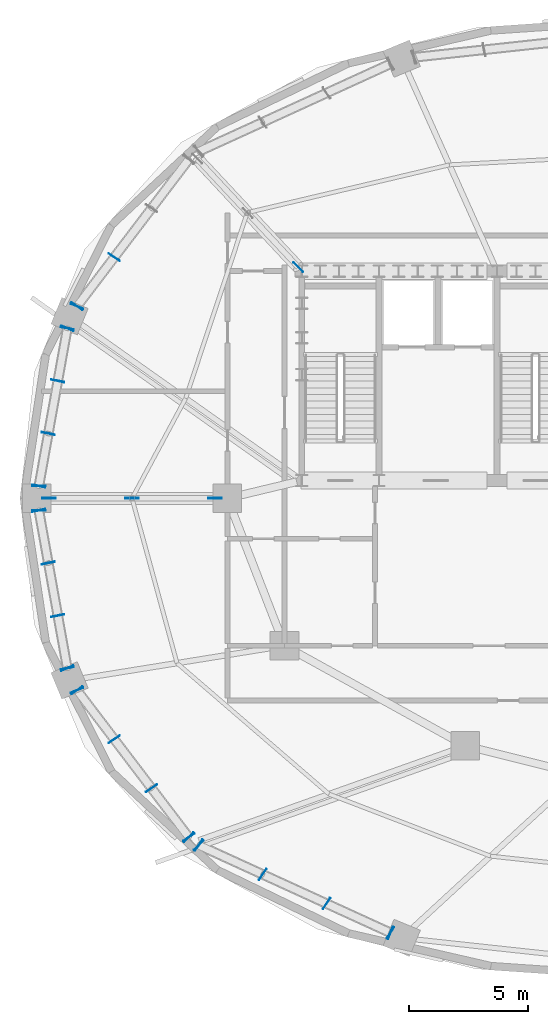
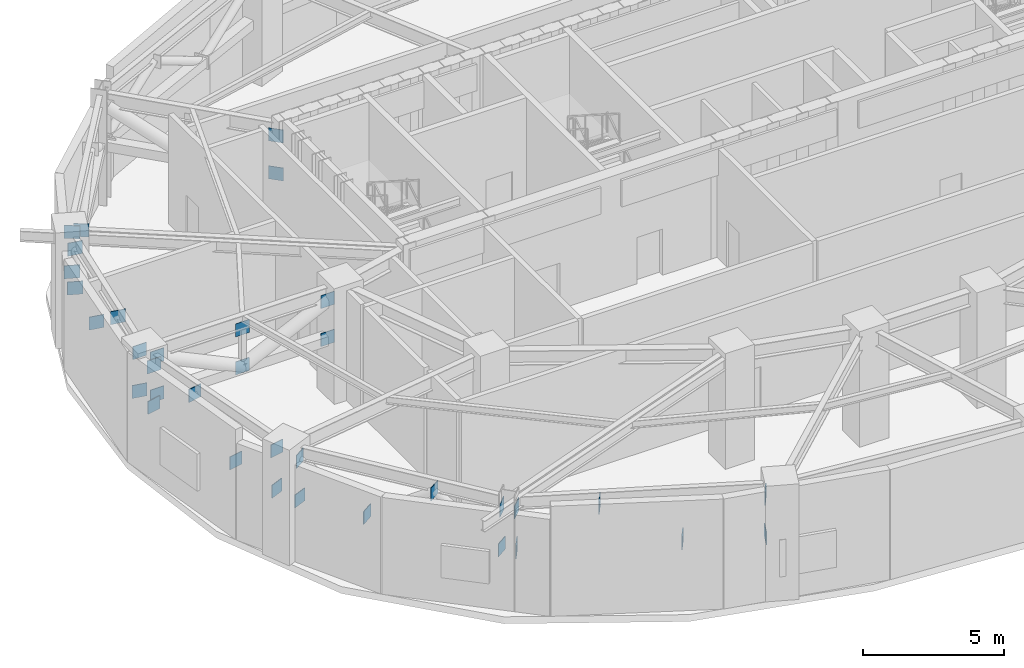
# One storey, part 8 of 17: 35 plates.
"""IFC4 building model written with IfcOpenShell, lengths in metres."""

from ifc_helpers import new_model, si_unit, direction, frame, origin, origin_2d, place, context, subcontext, project, spatial, rectangle, extrude, material, layer, layer_set, type_object, element, save


model = new_model("IFC4")

# Units and contexts
model_context = context("Model", 3, precision=1e-05, world=origin(), true_north=direction((0.0, 1.0)))
body_context = subcontext(model_context, "Body", "Model", "MODEL_VIEW")
ifc_project = project(units=[si_unit("LENGTHUNIT", "METRE"), si_unit("AREAUNIT", "SQUARE_METRE"), si_unit("VOLUMEUNIT", "CUBIC_METRE"), si_unit("PLANEANGLEUNIT", "RADIAN"), si_unit("MASSUNIT", "GRAM", prefix="KILO")], contexts=[model_context])

# Site, building, storey
site_placement = place(None, origin())
site = spatial("IfcSite", under=ifc_project, at=site_placement, CompositionType="ELEMENT")
building_placement = place(site_placement, origin())
building = spatial("IfcBuilding", under=site, at=building_placement, Name="Haldorwick Loom Tower", CompositionType="ELEMENT")
storey_placement = place(building_placement, frame((0.0, 0.0, 149.449951171875)))
storey = spatial("IfcBuildingStorey", under=building, at=storey_placement, Name="L40", CompositionType="ELEMENT", Elevation=149.449951171875)

# Plates
ifc_material = material(Name="Steel CSA G40.21 350W", Category="steel")
ifc_layer = layer(ifc_material, 0.028076171875, Name="Steel CSA G40.21 350W", Category="steel")
ifc_layer_set = layer_set([ifc_layer], Name="Steel CSA G40.21 350W")
plate_type = type_object("IfcPlateType", Name="STR-PLT-GUS28", PredefinedType="SHEET", material=ifc_layer_set)
for number, where, z_axis, x_axis, name in (
    (1, (14.045166015625, 36.126708984375, 2.219970703125), (0.0, 0.0, 1.0), (-0.831469612303, 0.55557023302, 0.0), "L40 Truss Node Gusset Plate PLT-L40-BGUS-06-1B"),
    (2, (12.478759765625, 34.067626953125, 3.93603515625), (0.0, 0.0, 1.0), (-0.831469612303, 0.55557023302, 0.0), "L40 Truss Node Gusset Plate PLT-L40-BGUS-06-2B"),
    (3, (12.478759765625, 34.067626953125, 2.219970703125), (0.0, 0.0, 1.0), (-0.923879532511, 0.382683432365, 0.0), "L40 Truss Node Gusset Plate PLT-L40-BGUS-06C"),
    (4, (12.071533203125, 33.14208984375, 3.93603515625), (0.0, 0.0, 1.0), (-0.980785280403, 0.195090322016, 0.0), "L40 Truss Node Gusset Plate PLT-L40-BGUS-07-0A"),
    (5, (11.6728515625, 30.931884765625, 2.219970703125), (0.0, 0.0, 1.0), (-0.980785280403, 0.195090322016, 0.0), "L40 Truss Node Gusset Plate PLT-L40-BGUS-07-0B"),
    (6, (11.274169921875, 28.7216796875, 3.93603515625), (0.0, 0.0, 1.0), (-0.980785280403, 0.195090322016, 0.0), "L40 Truss Node Gusset Plate PLT-L40-BGUS-07-1B"),
    (7, (10.875244140625, 26.51171875, 2.219970703125), (0.0, 0.0, 1.0), (-0.980785280403, 0.195090322016, 0.0), "L40 Truss Node Gusset Plate PLT-L40-BGUS-07-2B"),
    (8, (12.071533203125, 33.14208984375, 2.219970703125), (0.0, 0.0, 1.0), (-0.923879532511, 0.382683432365, 0.0), "L40 Truss Node Gusset Plate PLT-L40-BGUS-07A"),
    (9, (10.875244140625, 26.51171875, 3.93603515625), (0.0, 0.0, 1.0), (-1.0, 0.0, 0.0), "L40 Truss Node Gusset Plate PLT-L40-BGUS-07D"),
    (10, (10.875244140625, 25.48828125, 2.219970703125), (0.0, 0.0, 1.0), (-0.980785280403, -0.195090322016, 0.0), "L40 Truss Node Gusset Plate PLT-L40-BGUS-08-0A"),
    (11, (11.274169921875, 23.2783203125, 3.93603515625), (0.0, 0.0, 1.0), (-0.980785280403, -0.195090322016, 0.0), "L40 Truss Node Gusset Plate PLT-L40-BGUS-08-0B"),
    (12, (11.6728515625, 21.068115234375, 2.219970703125), (0.0, 0.0, 1.0), (-0.980785280403, -0.195090322016, 0.0), "L40 Truss Node Gusset Plate PLT-L40-BGUS-08-1B"),
    (13, (12.071533203125, 18.85791015625, 3.93603515625), (0.0, 0.0, 1.0), (-0.980785280403, -0.195090322016, 0.0), "L40 Truss Node Gusset Plate PLT-L40-BGUS-08-2B"),
    (14, (10.875244140625, 25.48828125, 3.93603515625), (0.0, 0.0, 1.0), (-1.0, 0.0, 0.0), "L40 Truss Node Gusset Plate PLT-L40-BGUS-08B"),
    (15, (12.071533203125, 18.85791015625, 2.219970703125), (0.0, 0.0, 1.0), (-0.923879532511, -0.382683432365, 0.0), "L40 Truss Node Gusset Plate PLT-L40-BGUS-08C"),
    (16, (12.478759765625, 17.932373046875, 3.93603515625), (0.0, 0.0, 1.0), (-0.831469612303, -0.55557023302, 0.0), "L40 Truss Node Gusset Plate PLT-L40-BGUS-09-0A"),
    (17, (14.045166015625, 15.873291015625, 2.219970703125), (0.0, 0.0, 1.0), (-0.831469612303, -0.55557023302, 0.0), "L40 Truss Node Gusset Plate PLT-L40-BGUS-09-0B"),
    (18, (15.611572265625, 13.81396484375, 3.93603515625), (0.0, 0.0, 1.0), (-0.831469612303, -0.55557023302, 0.0), "L40 Truss Node Gusset Plate PLT-L40-BGUS-09-1B"),
    (19, (17.177978515625, 11.754638671875, 2.219970703125), (0.0, 0.0, 1.0), (-0.831469612303, -0.55557023302, 0.0), "L40 Truss Node Gusset Plate PLT-L40-BGUS-09-2B"),
    (20, (12.478759765625, 17.932373046875, 2.219970703125), (0.0, 0.0, 1.0), (-0.923879532511, -0.382683432365, 0.0), "L40 Truss Node Gusset Plate PLT-L40-BGUS-09A"),
    (21, (17.177978515625, 11.754638671875, 3.93603515625), (0.0, 0.0, 1.0), (-0.707106781187, -0.707106781187, 0.0), "L40 Truss Node Gusset Plate PLT-L40-BGUS-09D"),
    (22, (17.594482421875, 11.42138671875, 2.219970703125), (0.0, 0.0, 1.0), (-0.55557023302, -0.831469612303, 0.0), "L40 Truss Node Gusset Plate PLT-L40-BGUS-10-0A"),
    (23, (20.281005859375, 10.19384765625, 3.93603515625), (0.0, 0.0, 1.0), (-0.55557023302, -0.831469612303, 0.0), "L40 Truss Node Gusset Plate PLT-L40-BGUS-10-0B"),
    (24, (22.96728515625, 8.96630859375, 2.219970703125), (0.0, 0.0, 1.0), (-0.55557023302, -0.831469612303, 0.0), "L40 Truss Node Gusset Plate PLT-L40-BGUS-10-1B"),
    (25, (25.65380859375, 7.738525390625, 3.93603515625), (0.0, 0.0, 1.0), (-0.55557023302, -0.831469612303, 0.0), "L40 Truss Node Gusset Plate PLT-L40-BGUS-10-2B"),
    (26, (17.594482421875, 11.42138671875, 3.93603515625), (0.0, 0.0, 1.0), (-0.707106781187, -0.707106781187, 0.0), "L40 Truss Node Gusset Plate PLT-L40-BGUS-10B"),
    (27, (25.65380859375, 7.738525390625, 2.219970703125), (0.0, 0.0, 1.0), (-0.382683432365, -0.923879532511, 0.0), "L40 Truss Node Gusset Plate PLT-L40-BGUS-10C"),
    (28, (21.776611328125, 35.714599609375, 2.219970703125), (0.0, 0.0, 1.0), (-0.707106781187, 0.707106781187, 0.0), "L40 Truss Node Gusset Plate PLT-L40-OT-NW-CB0"),
    (29, (21.776611328125, 35.714599609375, 3.863037109375), (0.0, 0.0, 1.0), (-0.707106781187, 0.707106781187, 0.0), "L40 Truss Node Gusset Plate PLT-L40-OT-NW-CT0"),
    (30, (18.280029296875, 26.0, 2.219970703125), (0.0, 0.0, 1.0), (-1.0, 0.0, 0.0), "L40 Truss Node Gusset Plate PLT-L40-OT-W-CB0"),
    (31, (18.280029296875, 26.0, 3.863037109375), (0.0, 0.0, 1.0), (-1.0, 0.0, 0.0), "L40 Truss Node Gusset Plate PLT-L40-OT-W-CT0"),
    (32, (14.79150390625, 26.0, 2.219970703125), (0.0, 0.0, 1.0), (-1.0, 0.0, 0.0), "L40 Truss Node Gusset Plate PLT-L40-OT-W-MB0"),
    (33, (14.79150390625, 26.0, 3.863037109375), (0.0, 0.0, 1.0), (-1.0, 0.0, 0.0), "L40 Truss Node Gusset Plate PLT-L40-OT-W-MT0"),
    (34, (11.302978515625, 26.0, 2.219970703125), (0.0, 0.0, 1.0), (-1.0, 0.0, 0.0), "L40 Truss Node Gusset Plate PLT-L40-OT-W-PB0"),
    (35, (11.302978515625, 26.0, 3.863037109375), (0.0, 0.0, 1.0), (-1.0, 0.0, 0.0), "L40 Truss Node Gusset Plate PLT-L40-OT-W-PT0"),
):
    element("IfcPlate", number, at=place(storey_placement, frame(where, z_axis=z_axis, x_axis=x_axis)), inside=storey, type_object=plate_type, Name=name, PredefinedType="SHEET", context=body_context, shape_type="SweptSolid", body=[
        extrude(rectangle(XDim=0.56005859375, YDim=0.028076171875, at=origin_2d()), origin(), (0.0, 0.0, 1.0), 0.56005859375),
    ])

save(model, "model.ifc")
